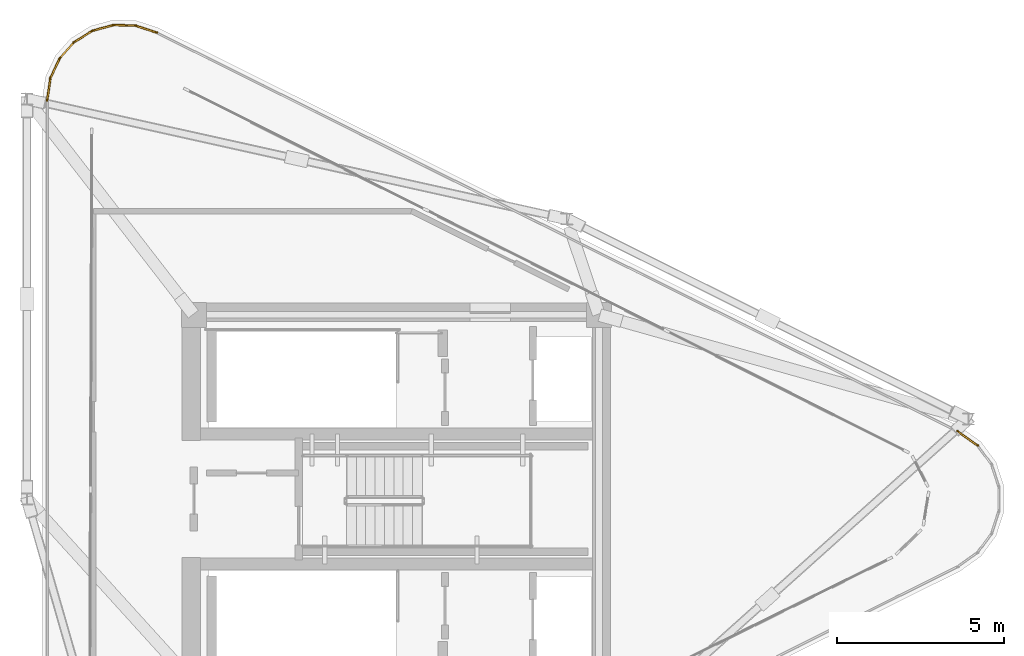
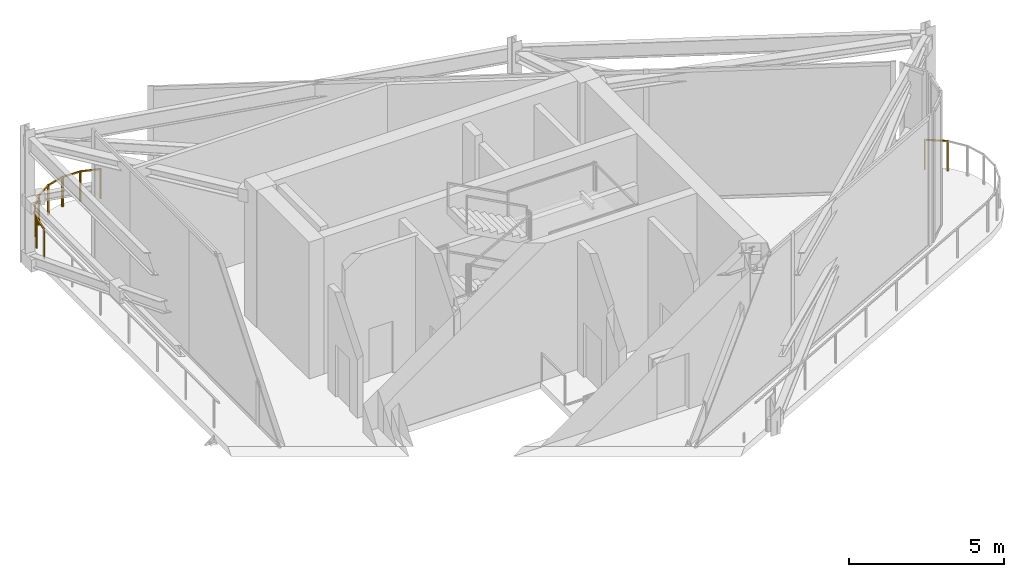
# One storey, part 7 of 7: 8 railings.
"""IFC4 building model written with IfcOpenShell, lengths in metres."""

import ifcopenshell
import ifcopenshell.guid

model = None  # the IFC model being written
_history = None  # IfcOwnerHistory: only IFC2X3 demands one
_inside = {}  # id of a spatial element -> (the spatial element, [elements in it])
_under = {}  # id of a project, library or spatial element -> (it, [spatial elements below it])
_declared = {}  # id of a project -> (the project, [libraries it declares])
_typed = {}  # id of a type object -> (the type object, [elements of that type])
_made_of = {}  # id of a material, layer set ... -> (it, [elements and type objects made of it])


def new_model(schema):
    """Start an empty IFC model of exactly this schema.

    Asked for "IFC4X3", IfcOpenShell would pick the latest addendum, in which some entities
    have other attributes; the version numbers below select the first issue.
    IFC2X3 requires an IfcOwnerHistory on every rooted entity: one is made here for all.
    """
    global model, _history
    if schema == "IFC4X3":
        model = ifcopenshell.file(schema_version=(4, 3, 0, 0))
    else:
        model = ifcopenshell.file(schema=schema)
    _inside.clear()
    _under.clear()
    _declared.clear()
    _typed.clear()
    _made_of.clear()
    _history = None
    if model.schema == "IFC2X3":
        org = make("IfcOrganization", Name="unknown")
        user = make(
            "IfcPersonAndOrganization",
            ThePerson=make("IfcPerson", FamilyName="unknown"),
            TheOrganization=org,
        )
        app = make(
            "IfcApplication",
            ApplicationDeveloper=org,
            Version="unknown",
            ApplicationFullName="unknown",
            ApplicationIdentifier="unknown",
        )
        _history = make(
            "IfcOwnerHistory",
            OwningUser=user,
            OwningApplication=app,
            ChangeAction="ADDED",
            CreationDate=0,
        )
    return model


def make(cls, **values):
    """One entity of the class cls with the attributes given. An attribute that is None is left unset."""
    return model.create_entity(
        cls, **{name: value for name, value in values.items() if value is not None}
    )


def rooted(cls, **values):
    """An entity with a GlobalId (a new one), such as an element, a storey or a relation."""
    return make(cls, GlobalId=ifcopenshell.guid.new(), OwnerHistory=_history, **values)


def si_unit(unit_type, name, prefix=None):
    """IfcSIUnit, for example si_unit("LENGTHUNIT", "METRE", prefix="MILLI")."""
    return make("IfcSIUnit", UnitType=unit_type, Prefix=prefix, Name=name)


def assignment(units):
    """IfcUnitAssignment: the units of a project."""
    return None if units is None else make("IfcUnitAssignment", Units=units)


def point(xyz):
    """IfcCartesianPoint."""
    return None if xyz is None else make("IfcCartesianPoint", Coordinates=xyz)


def direction(xyz):
    """IfcDirection."""
    return None if xyz is None else make("IfcDirection", DirectionRatios=xyz)


def frame(location, z_axis=None, x_axis=None):
    """IfcAxis2Placement3D, a coordinate frame: its origin and axes. An axis left out is left unset."""
    return make(
        "IfcAxis2Placement3D",
        Location=point(location),
        Axis=direction(z_axis),
        RefDirection=direction(x_axis),
    )


def frame_2d(location, x_axis=None):
    """IfcAxis2Placement2D, a coordinate frame in the plane: its origin and x axis."""
    return make(
        "IfcAxis2Placement2D", Location=point(location), RefDirection=direction(x_axis)
    )


def origin():
    """The frame at (0, 0, 0) with its axes left unset."""
    return frame((0.0, 0.0, 0.0))


def origin_2d():
    """The frame at (0, 0) in the plane with its x axis left unset."""
    return frame_2d((0.0, 0.0))


def place(relative_to, where):
    """IfcLocalPlacement: puts the frame where relative to a parent placement (None: the world)."""
    return make(
        "IfcLocalPlacement", PlacementRelTo=relative_to, RelativePlacement=where
    )


def context(
    kind, dimensions, precision=None, world=None, true_north=None, identifier=None
):
    """IfcGeometricRepresentationContext, for example the 3D "Model" context."""
    return make(
        "IfcGeometricRepresentationContext",
        ContextIdentifier=identifier,
        ContextType=kind,
        CoordinateSpaceDimension=dimensions,
        Precision=precision,
        WorldCoordinateSystem=world,
        TrueNorth=true_north,
    )


def subcontext(parent, identifier, kind, view, scale=None):
    """IfcGeometricRepresentationSubContext, for example "Body" below "Model"."""
    return make(
        "IfcGeometricRepresentationSubContext",
        ContextIdentifier=identifier,
        ContextType=kind,
        ParentContext=parent,
        TargetScale=scale,
        TargetView=view,
    )


def project(units=None, contexts=None):
    """IfcProject with its units and contexts."""
    return rooted(
        "IfcProject",
        Name="project",
        RepresentationContexts=contexts,
        UnitsInContext=assignment(units),
    )


def spatial(cls, under=None, at=None, **own):
    """A site, building, storey or space (cls), placed at a placement, below another one or the project."""
    s = rooted(cls, ObjectPlacement=at, **own)
    if under is not None:
        _under.setdefault(under.id(), (under, []))[1].append(s)
    return s


def profile(cls, at=None, kind="AREA", **sizes):
    """A parametric profile (cls). Its sizes go by their IFC names, for example OverallWidth=200.0."""
    return make(cls, ProfileType=kind, Position=at, **sizes)


def rectangle(**sizes):
    """IfcRectangleProfileDef."""
    return profile("IfcRectangleProfileDef", **sizes)


def extrude(swept, where, along, depth):
    """IfcExtrudedAreaSolid: the profile swept, set in the frame where, extruded along a direction by depth."""
    return make(
        "IfcExtrudedAreaSolid",
        SweptArea=swept,
        Position=where,
        ExtrudedDirection=direction(along),
        Depth=depth,
    )


def shape(context_of_items, identifier, shape_type, items):
    """IfcShapeRepresentation: the items that make up one representation, for example the "Body"."""
    return make(
        "IfcShapeRepresentation",
        ContextOfItems=context_of_items,
        RepresentationIdentifier=identifier,
        RepresentationType=shape_type,
        Items=items,
    )


def material(Name=None, Category=None):
    """IfcMaterial."""
    return make("IfcMaterial", Name=Name, Category=Category)


def made_of(thing, what):
    """Note that an element or type object is made of a material, layer set ...; save() writes the relation."""
    if what is not None:
        _made_of.setdefault(what.id(), (what, []))[1].append(thing)
    return thing


def type_object(cls, material=None, **own):
    """A type object (cls), such as IfcWallType, which elements share."""
    return made_of(rooted(cls, **own), material)


def element(
    cls,
    number,
    at=None,
    inside=None,
    cuts=None,
    type_object=None,
    material=None,
    context=None,
    identifier="Body",
    shape_type=None,
    held_by="IfcProductDefinitionShape",
    body=None,
    shapes=None,
    **own,
):
    """One element of the class cls, such as IfcWall. Its Tag is "e" and its number.

    at: its placement. inside: the storey or other place that contains it. cuts: it is an
    opening in that element (IfcRelVoidsElement). A single representation is given by context,
    identifier, shape_type and body (its items); several are given by shapes. held_by: the class
    of the entity that holds the representations. save() writes the other relations.
    """
    e = rooted(cls, Tag="e%d" % number, ObjectPlacement=at, **own)
    if body is not None:
        shapes = [shape(context, identifier, shape_type, body)]
    if shapes is not None:
        e.Representation = make(held_by, Representations=shapes)
    if inside is not None:
        _inside.setdefault(inside.id(), (inside, []))[1].append(e)
    if cuts is not None:
        rooted(
            "IfcRelVoidsElement", RelatingBuildingElement=cuts, RelatedOpeningElement=e
        )
    if type_object is not None:
        _typed.setdefault(type_object.id(), (type_object, []))[1].append(e)
    return made_of(e, material)


def aggregate(whole, parts):
    """IfcRelAggregates: a whole, such as a stair, and the parts it consists of."""
    return rooted("IfcRelAggregates", RelatingObject=whole, RelatedObjects=parts)


def save(model, path):
    """Write the relations noted so far, then the file.

    IfcRelAggregates (storeys below a building ...), IfcRelContainedInSpatialStructure (elements
    in a storey), IfcRelDefinesByType, IfcRelAssociatesMaterial and IfcRelDeclares: one each for
    every whole, place, type object, material and project.
    """
    for whole, parts in _under.values():
        aggregate(whole, parts)
    for where, things in _inside.values():
        rooted(
            "IfcRelContainedInSpatialStructure",
            RelatedElements=things,
            RelatingStructure=where,
        )
    for kind, things in _typed.values():
        rooted("IfcRelDefinesByType", RelatedObjects=things, RelatingType=kind)
    for what, things in _made_of.values():
        rooted("IfcRelAssociatesMaterial", RelatedObjects=things, RelatingMaterial=what)
    for by, libraries in _declared.values():
        rooted("IfcRelDeclares", RelatingContext=by, RelatedDefinitions=libraries)
    model.write(path)


model = new_model("IFC4")

# Units and contexts
model_context = context("Model", 3, precision=1e-05, world=origin(), true_north=direction((0.0, 1.0)))
body_context = subcontext(model_context, "Body", "Model", "MODEL_VIEW")
ifc_project = project(units=[si_unit("LENGTHUNIT", "METRE"), si_unit("AREAUNIT", "SQUARE_METRE"), si_unit("VOLUMEUNIT", "CUBIC_METRE"), si_unit("PLANEANGLEUNIT", "RADIAN"), si_unit("MASSUNIT", "GRAM", prefix="KILO")], contexts=[model_context])

# Site, building, storey
site_placement = place(None, origin())
site = spatial("IfcSite", under=ifc_project, at=site_placement, CompositionType="ELEMENT")
building_placement = place(site_placement, origin())
building = spatial("IfcBuilding", under=site, at=building_placement, Name="Yunling Apex Tower", CompositionType="ELEMENT")
storey_placement = place(building_placement, frame((0.0, 0.0, 322.85009765625)))
storey = spatial("IfcBuildingStorey", under=building, at=storey_placement, Name="C02", CompositionType="ELEMENT", Elevation=322.85009765625)

# Railings
ifc_material = material(Name="Bronze anodised aluminium", Category="aluminium")
railing_type = type_object("IfcRailingType", Name="RL-BAL-1200", PredefinedType="BALUSTRADE", material=ifc_material)
railing_1_placement = place(storey_placement, frame((-10.433837890625, 11.898681640625, 0.0)))
element("IfcRailing", 1, at=railing_1_placement, inside=storey, type_object=railing_type, Name="RL-CRN-PERIM-C02-02", PredefinedType="BALUSTRADE", context=body_context, shape_type="SweptSolid", body=[
    extrude(rectangle(XDim=0.0439453125, YDim=0.0439453125, at=origin_2d()), origin(), (0.0, 0.0, 1.0), 1.199951171875),
    extrude(rectangle(XDim=0.0439453125, YDim=0.0439453125, at=origin_2d()), frame((0.10009765625, 0.6845703125, 0.0)), (0.0, 0.0, 1.0), 1.199951171875),
    extrude(rectangle(XDim=0.050048828125, YDim=0.050048828125, at=origin_2d()), frame((0.005615234375, 0.037841796875, 1.1748046875), z_axis=(0.144681209552, 0.989478320936, 0.0), x_axis=(-0.989478320936, 0.144681209552, 0.0)), (0.0, 0.0, 1.0), 0.615234375),
])
railing_2_placement = place(storey_placement, frame((-10.34228515625, 12.5546875, 0.0)))
element("IfcRailing", 2, at=railing_2_placement, inside=storey, type_object=railing_type, Name="RL-CRN-PERIM-C02-03", PredefinedType="BALUSTRADE", context=body_context, shape_type="SweptSolid", body=[
    extrude(rectangle(XDim=0.0439453125, YDim=0.0439453125, at=origin_2d()), origin(), (0.0, 0.0, 1.0), 1.199951171875),
    extrude(rectangle(XDim=0.0439453125, YDim=0.0439453125, at=origin_2d()), frame((0.287109375, 0.6171875, 0.0)), (0.0, 0.0, 1.0), 1.199951171875),
    extrude(rectangle(XDim=0.050048828125, YDim=0.050048828125, at=origin_2d()), frame((0.01611328125, 0.03466796875, 1.1748046875), z_axis=(0.421785608643, 0.90669559409, 0.0), x_axis=(-0.90669559409, 0.421785608643, 0.0)), (0.0, 0.0, 1.0), 0.60400390625),
])
railing_3_placement = place(storey_placement, frame((-10.0712890625, 13.14697265625, 0.0)))
element("IfcRailing", 3, at=railing_3_placement, inside=storey, type_object=railing_type, Name="RL-CRN-PERIM-C02-04", PredefinedType="BALUSTRADE", context=body_context, shape_type="SweptSolid", body=[
    extrude(rectangle(XDim=0.0439453125, YDim=0.0439453125, at=origin_2d()), origin(), (0.0, 0.0, 1.0), 1.199951171875),
    extrude(rectangle(XDim=0.0439453125, YDim=0.0439453125, at=origin_2d()), frame((0.45166015625, 0.509033203125, 0.0)), (0.0, 0.0, 1.0), 1.199951171875),
    extrude(rectangle(XDim=0.050048828125, YDim=0.050048828125, at=origin_2d()), frame((0.025390625, 0.028564453125, 1.1748046875), z_axis=(0.663695548122, 0.748002820451, 0.0), x_axis=(-0.748002820451, 0.663695548122, 0.0)), (0.0, 0.0, 1.0), 0.603759765625),
])
railing_4_placement = place(storey_placement, frame((-9.642333984375, 13.636962890625, 0.0)))
element("IfcRailing", 4, at=railing_4_placement, inside=storey, type_object=railing_type, Name="RL-CRN-PERIM-C02-05", PredefinedType="BALUSTRADE", context=body_context, shape_type="SweptSolid", body=[
    extrude(rectangle(XDim=0.0439453125, YDim=0.0439453125, at=origin_2d()), origin(), (0.0, 0.0, 1.0), 1.199951171875),
    extrude(rectangle(XDim=0.0439453125, YDim=0.0439453125, at=origin_2d()), frame((0.57861328125, 0.358154296875, 0.0)), (0.0, 0.0, 1.0), 1.199951171875),
    extrude(rectangle(XDim=0.050048828125, YDim=0.050048828125, at=origin_2d()), frame((0.032470703125, 0.020263671875, 1.1748046875), z_axis=(0.85028808372, 0.526317560683, 0.0), x_axis=(-0.526317560683, 0.85028808372, 0.0)), (0.0, 0.0, 1.0), 0.603759765625),
])
railing_5_placement = place(storey_placement, frame((-9.091064453125, 13.9833984375, 0.0)))
element("IfcRailing", 5, at=railing_5_placement, inside=storey, type_object=railing_type, Name="RL-CRN-PERIM-C02-06", PredefinedType="BALUSTRADE", context=body_context, shape_type="SweptSolid", body=[
    extrude(rectangle(XDim=0.0439453125, YDim=0.0439453125, at=origin_2d()), origin(), (0.0, 0.0, 1.0), 1.199951171875),
    extrude(rectangle(XDim=0.0439453125, YDim=0.0439453125, at=origin_2d()), frame((0.6572265625, 0.177734375, 0.0)), (0.0, 0.0, 1.0), 1.199951171875),
    extrude(rectangle(XDim=0.050048828125, YDim=0.050048828125, at=origin_2d()), frame((0.037109375, 0.010009765625, 1.1748046875), z_axis=(0.965324325437, 0.261053532288, 0.0), x_axis=(-0.261053532288, 0.965324325437, 0.0)), (0.0, 0.0, 1.0), 0.604248046875),
])
railing_6_placement = place(storey_placement, frame((-8.46337890625, 14.15771484375, 0.0)))
element("IfcRailing", 6, at=railing_6_placement, inside=storey, type_object=railing_type, Name="RL-CRN-PERIM-C02-07", PredefinedType="BALUSTRADE", context=body_context, shape_type="SweptSolid", body=[
    extrude(rectangle(XDim=0.0439453125, YDim=0.0439453125, at=origin_2d()), origin(), (0.0, 0.0, 1.0), 1.199951171875),
    extrude(rectangle(XDim=0.0439453125, YDim=0.0439453125, at=origin_2d()), frame((0.68017578125, -0.01806640625, 0.0)), (0.0, 0.0, 1.0), 1.199951171875),
    extrude(rectangle(XDim=0.050048828125, YDim=0.050048828125, at=origin_2d()), frame((0.038330078125, -0.0009765625, 1.1748046875), z_axis=(0.999647433134, -0.026552013658, 0.0), x_axis=(0.026552013658, 0.999647433134, 0.0)), (0.0, 0.0, 1.0), 0.603759765625),
])
railing_7_placement = place(storey_placement, frame((-7.812255859375, 14.144775390625, 0.0)))
element("IfcRailing", 7, at=railing_7_placement, inside=storey, type_object=railing_type, Name="RL-CRN-PERIM-C02-08", PredefinedType="BALUSTRADE", context=body_context, shape_type="SweptSolid", body=[
    extrude(rectangle(XDim=0.0439453125, YDim=0.0439453125, at=origin_2d()), origin(), (0.0, 0.0, 1.0), 1.199951171875),
    extrude(rectangle(XDim=0.0439453125, YDim=0.0439453125, at=origin_2d()), frame((0.6572265625, -0.21533203125, 0.0)), (0.0, 0.0, 1.0), 1.199951171875),
    extrude(rectangle(XDim=0.050048828125, YDim=0.050048828125, at=origin_2d()), frame((0.036376953125, -0.011962890625, 1.1748046875), z_axis=(0.950294622207, -0.311352101332, 0.0), x_axis=(0.311352101332, 0.950294622207, 0.0)), (0.0, 0.0, 1.0), 0.614990234375),
])
railing_8_placement = place(storey_placement, frame((16.756591796875, 2.0283203125, 0.0)))
element("IfcRailing", 8, at=railing_8_placement, inside=storey, type_object=railing_type, Name="RL-CRN-PERIM-C02-10", PredefinedType="BALUSTRADE", context=body_context, shape_type="SweptSolid", body=[
    extrude(rectangle(XDim=0.0439453125, YDim=0.0439453125, at=origin_2d()), origin(), (0.0, 0.0, 1.0), 1.199951171875),
    extrude(rectangle(XDim=0.0439453125, YDim=0.0439453125, at=origin_2d()), frame((0.611572265625, -0.436767578125, 0.0)), (0.0, 0.0, 1.0), 1.199951171875),
    extrude(rectangle(XDim=0.050048828125, YDim=0.050048828125, at=origin_2d()), frame((0.03125, -0.022216796875, 1.1748046875), z_axis=(0.813777369051, -0.581176731829, 0.0), x_axis=(0.581176731829, 0.813777369051, 0.0)), (0.0, 0.0, 1.0), 0.6748046875),
])

save(model, "model.ifc")
